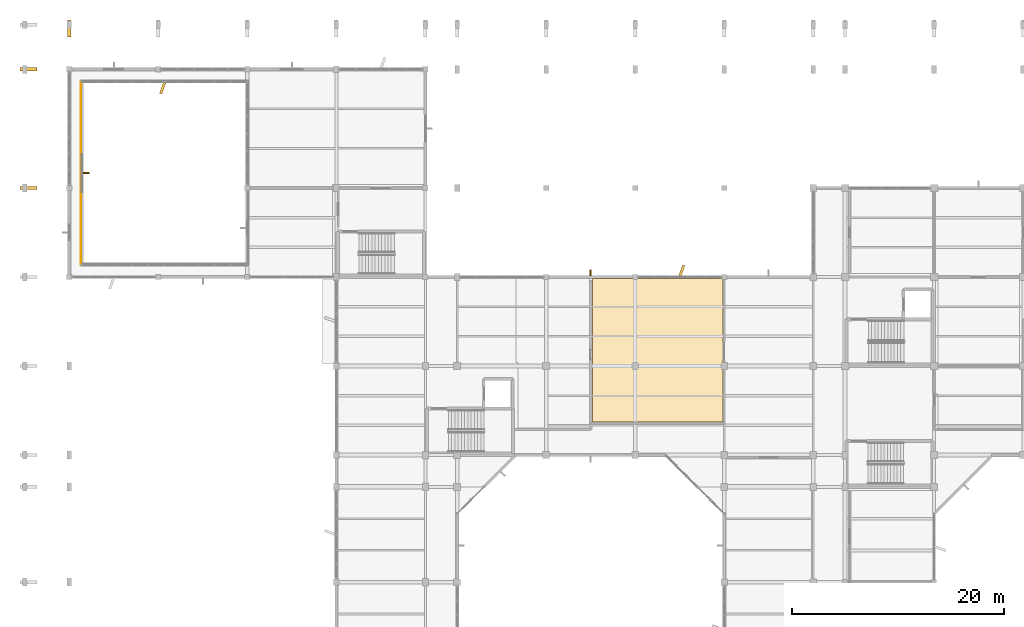
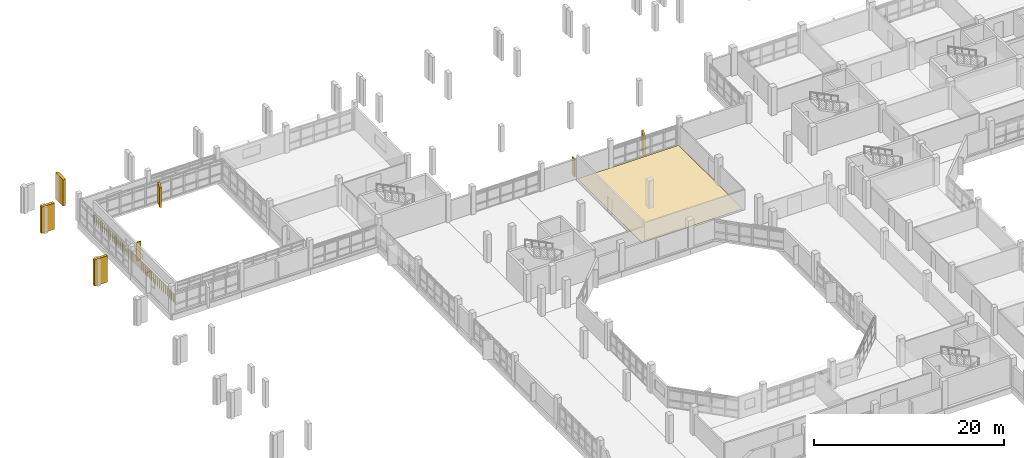
# One storey, part 94 of 104: 6 coverings, 2 shading devices, 1 railing.
"""IFC4 building model written with IfcOpenShell, lengths in metres."""

from ifc_helpers import new_model, si_unit, direction, frame, origin, origin_2d, place, context, subcontext, project, spatial, polyline, rectangle, circle, outline, extrude, material, layer, layer_set, type_object, element, save


model = new_model("IFC4")

# Units and contexts
model_context = context("Model", 3, precision=1e-05, world=origin(), true_north=direction((0.0, 1.0)))
body_context = subcontext(model_context, "Body", "Model", "MODEL_VIEW")
ifc_project = project(units=[si_unit("LENGTHUNIT", "METRE"), si_unit("AREAUNIT", "SQUARE_METRE"), si_unit("VOLUMEUNIT", "CUBIC_METRE"), si_unit("PLANEANGLEUNIT", "RADIAN"), si_unit("MASSUNIT", "GRAM", prefix="KILO")], contexts=[model_context])

# Site, building, storey
site_placement = place(None, origin())
site = spatial("IfcSite", under=ifc_project, at=site_placement, CompositionType="ELEMENT")
building_placement = place(site_placement, origin())
building = spatial("IfcBuilding", under=site, at=building_placement, Name="Vanh Quang Courtyard School", CompositionType="ELEMENT")
storey_placement = place(building_placement, frame((0.0, 0.0, 4.199951171875)))
storey = spatial("IfcBuildingStorey", under=building, at=storey_placement, Name="L01", CompositionType="ELEMENT", Elevation=4.199951171875)

# Coverings
ifc_material_1 = material(Name="Polished cementitious terrazzo tile", Category="concrete")
ifc_layer_1 = layer(ifc_material_1, 0.02001953125)
ifc_layer_set_1 = layer_set([ifc_layer_1], Name="Polished cementitious terrazzo tile")
covering_type_1 = type_object("IfcCoveringType", Name="COV-FLR-TERRAZZO", PredefinedType="FLOORING", material=ifc_layer_set_1)
covering_placement = place(storey_placement, origin())
element("IfcCovering", 1, at=covering_placement, inside=storey, type_object=covering_type_1, Name="Covering CV-FL1 (L01)", PredefinedType="FLOORING", context=body_context, shape_type="SweptSolid", body=[
    extrude(outline(polyline([(53.550048828125, 88.06005859375), (53.550048828125, 88.06103515625), (53.55029296875, 88.06201171875), (53.55029296875, 88.06298828125), (53.55078125, 88.063720703125), (53.55126953125, 88.064697265625), (53.5517578125, 88.065673828125), (53.55224609375, 88.06640625), (53.552978515625, 88.067138671875), (53.5537109375, 88.067626953125), (53.554443359375, 88.068359375), (53.555419921875, 88.06884765625), (53.55615234375, 88.069091796875), (53.55712890625, 88.069580078125), (53.55810546875, 88.06982421875), (53.55908203125, 88.070068359375), (53.56005859375, 88.070068359375), (65.860107421875, 88.070068359375), (65.861083984375, 88.070068359375), (65.862060546875, 88.06982421875), (65.86279296875, 88.069580078125), (65.86376953125, 88.069091796875), (65.86474609375, 88.06884765625), (65.865478515625, 88.068359375), (65.8662109375, 88.067626953125), (65.8671875, 88.067138671875), (65.86767578125, 88.06640625), (65.868408203125, 88.065673828125), (65.868896484375, 88.064697265625), (65.869140625, 88.063720703125), (65.86962890625, 88.06298828125), (65.869873046875, 88.06201171875), (65.8701171875, 88.06103515625), (65.8701171875, 88.06005859375), (65.8701171875, 74.5400390625), (65.8701171875, 74.5390625), (65.869873046875, 74.5380859375), (65.86962890625, 74.537109375), (65.869140625, 74.5361328125), (65.868896484375, 74.535400390625), (65.868408203125, 74.534423828125), (65.86767578125, 74.53369140625), (65.8671875, 74.532958984375), (65.8662109375, 74.5322265625), (65.865478515625, 74.53173828125), (65.86474609375, 74.53125), (65.86376953125, 74.53076171875), (65.86279296875, 74.530517578125), (65.862060546875, 74.5302734375), (65.861083984375, 74.530029296875), (65.860107421875, 74.530029296875), (53.56005859375, 74.530029296875), (53.55908203125, 74.530029296875), (53.55810546875, 74.5302734375), (53.55712890625, 74.530517578125), (53.55615234375, 74.53076171875), (53.555419921875, 74.53125), (53.554443359375, 74.53173828125), (53.5537109375, 74.5322265625), (53.552978515625, 74.532958984375), (53.55224609375, 74.53369140625), (53.5517578125, 74.534423828125), (53.55126953125, 74.535400390625), (53.55078125, 74.5361328125), (53.55029296875, 74.537109375), (53.55029296875, 74.5380859375), (53.550048828125, 74.5390625), (53.550048828125, 74.5400390625), (53.550048828125, 88.06005859375)])), origin(), (0.0, 0.0, 1.0), 0.02001953125),
])
ifc_material_2 = material(Name="Board-marked precast concrete C40/50", Category="concrete")
ifc_layer_2 = layer(ifc_material_2, 0.239990234375)
ifc_layer_set_2 = layer_set([ifc_layer_2], Name="Board-marked precast concrete C40/50")
covering_type_2 = type_object("IfcCoveringType", Name="COV-HOOD-CONC", PredefinedType="CLADDING", material=ifc_layer_set_2)
for number, where, z_axis, x_axis, name in (
    (2, (61.989990234375, 88.784912109375, 0.0), (0.0, 0.0, 1.0), (0.340379550213, 0.94028812701, 0.0), "Covering CH-01 (L01)"),
    (3, (13.010009765625, 106.014892578125, 0.0), (0.0, 0.0, 1.0), (-0.340379550213, -0.94028812701, 0.0), "Covering CH-01 (L01)"),
):
    element("IfcCovering", number, at=place(storey_placement, frame(where, z_axis=z_axis, x_axis=x_axis)), inside=storey, type_object=covering_type_2, Name=name, PredefinedType="CLADDING", context=body_context, shape_type="SweptSolid", body=[
        extrude(rectangle(XDim=1.11669921875, YDim=0.239990234375, at=origin_2d()), origin(), (0.0, 0.0, 1.0), 2.56005859375),
    ])
for number, where, z_axis, x_axis, name in (
    (4, (0.35009765625, 96.60009765625, 0.0), (0.0, 0.0, 1.0), (1.0, 0.0, 0.0), "Covering CH-01 (L01)"),
    (5, (0.35009765625, 107.800048828125, 0.0), (0.0, 0.0, 1.0), (1.0, 0.0, 0.0), "Covering CH-01 (L01)"),
    (6, (4.199951171875, 111.64990234375, 0.0), (0.0, 0.0, 1.0), (0.0, 1.0, 0.0), "Covering CH-01 (L01)"),
):
    element("IfcCovering", number, at=place(storey_placement, frame(where, z_axis=z_axis, x_axis=x_axis)), inside=storey, type_object=covering_type_2, Name=name, PredefinedType="CLADDING", context=body_context, shape_type="SweptSolid", body=[
        extrude(rectangle(XDim=1.60009765625, YDim=0.320068359375, at=origin_2d()), origin(), (0.0, 0.0, 1.0), 3.3798828125),
    ])

# Railing
ifc_material_3 = material(Name="Galvanised painted steel EN 10025-2 S355J2", Category="steel")
railing_type = type_object("IfcRailingType", Name="RAIL-GUARD-1150", PredefinedType="BALUSTRADE", material=ifc_material_3)
railing_placement = place(storey_placement, frame((5.300048828125, 106.60009765625, 0.0)))
element("IfcRailing", 7, at=railing_placement, inside=storey, type_object=railing_type, Name="Railing GR-01 (L01)", PredefinedType="BALUSTRADE", context=body_context, shape_type="SweptSolid", body=[
    extrude(circle(Radius=0.02392578125, at=origin_2d()), frame((0.0, 0.0, 1.1259765625), z_axis=(0.0, -1.0, 0.0), x_axis=(1.0, 0.0, 0.0)), (0.0, 0.0, 1.0), 17.2001953125),
    extrude(circle(Radius=0.02099609375, at=origin_2d()), origin(), (0.0, 0.0, 1.0), 1.101806640625),
    extrude(circle(Radius=0.02099609375, at=origin_2d()), frame((0.0, -0.139892578125, 0.0)), (0.0, 0.0, 1.0), 1.101806640625),
    extrude(circle(Radius=0.02099609375, at=origin_2d()), frame((0.0, -0.27978515625, 0.0)), (0.0, 0.0, 1.0), 1.101806640625),
    extrude(circle(Radius=0.02099609375, at=origin_2d()), frame((0.0, -0.41943359375, 0.0)), (0.0, 0.0, 1.0), 1.101806640625),
    extrude(circle(Radius=0.02099609375, at=origin_2d()), frame((0.0, -0.559326171875, 0.0)), (0.0, 0.0, 1.0), 1.101806640625),
    extrude(circle(Radius=0.02099609375, at=origin_2d()), frame((0.0, -0.69921875, 0.0)), (0.0, 0.0, 1.0), 1.101806640625),
    extrude(circle(Radius=0.02099609375, at=origin_2d()), frame((0.0, -0.839111328125, 0.0)), (0.0, 0.0, 1.0), 1.101806640625),
    extrude(circle(Radius=0.02099609375, at=origin_2d()), frame((0.0, -0.978759765625, 0.0)), (0.0, 0.0, 1.0), 1.101806640625),
    extrude(circle(Radius=0.02099609375, at=origin_2d()), frame((0.0, -1.11865234375, 0.0)), (0.0, 0.0, 1.0), 1.101806640625),
    extrude(circle(Radius=0.02099609375, at=origin_2d()), frame((0.0, -1.258544921875, 0.0)), (0.0, 0.0, 1.0), 1.101806640625),
    extrude(circle(Radius=0.02099609375, at=origin_2d()), frame((0.0, -1.3984375, 0.0)), (0.0, 0.0, 1.0), 1.101806640625),
    extrude(circle(Radius=0.02099609375, at=origin_2d()), frame((0.0, -1.538330078125, 0.0)), (0.0, 0.0, 1.0), 1.101806640625),
    extrude(circle(Radius=0.02099609375, at=origin_2d()), frame((0.0, -1.677978515625, 0.0)), (0.0, 0.0, 1.0), 1.101806640625),
    extrude(circle(Radius=0.02099609375, at=origin_2d()), frame((0.0, -1.81787109375, 0.0)), (0.0, 0.0, 1.0), 1.101806640625),
    extrude(circle(Radius=0.02099609375, at=origin_2d()), frame((0.0, -1.957763671875, 0.0)), (0.0, 0.0, 1.0), 1.101806640625),
    extrude(circle(Radius=0.02099609375, at=origin_2d()), frame((0.0, -2.09765625, 0.0)), (0.0, 0.0, 1.0), 1.101806640625),
    extrude(circle(Radius=0.02099609375, at=origin_2d()), frame((0.0, -2.2373046875, 0.0)), (0.0, 0.0, 1.0), 1.101806640625),
    extrude(circle(Radius=0.02099609375, at=origin_2d()), frame((0.0, -2.377197265625, 0.0)), (0.0, 0.0, 1.0), 1.101806640625),
    extrude(circle(Radius=0.02099609375, at=origin_2d()), frame((0.0, -2.51708984375, 0.0)), (0.0, 0.0, 1.0), 1.101806640625),
    extrude(circle(Radius=0.02099609375, at=origin_2d()), frame((0.0, -2.656982421875, 0.0)), (0.0, 0.0, 1.0), 1.101806640625),
    extrude(circle(Radius=0.02099609375, at=origin_2d()), frame((0.0, -2.796875, 0.0)), (0.0, 0.0, 1.0), 1.101806640625),
    extrude(circle(Radius=0.02099609375, at=origin_2d()), frame((0.0, -2.9365234375, 0.0)), (0.0, 0.0, 1.0), 1.101806640625),
    extrude(circle(Radius=0.02099609375, at=origin_2d()), frame((0.0, -3.076416015625, 0.0)), (0.0, 0.0, 1.0), 1.101806640625),
    extrude(circle(Radius=0.02099609375, at=origin_2d()), frame((0.0, -3.21630859375, 0.0)), (0.0, 0.0, 1.0), 1.101806640625),
    extrude(circle(Radius=0.02099609375, at=origin_2d()), frame((0.0, -3.356201171875, 0.0)), (0.0, 0.0, 1.0), 1.101806640625),
    extrude(circle(Radius=0.02099609375, at=origin_2d()), frame((0.0, -3.49609375, 0.0)), (0.0, 0.0, 1.0), 1.101806640625),
    extrude(circle(Radius=0.02099609375, at=origin_2d()), frame((0.0, -3.6357421875, 0.0)), (0.0, 0.0, 1.0), 1.101806640625),
    extrude(circle(Radius=0.02099609375, at=origin_2d()), frame((0.0, -3.775634765625, 0.0)), (0.0, 0.0, 1.0), 1.101806640625),
    extrude(circle(Radius=0.02099609375, at=origin_2d()), frame((0.0, -3.91552734375, 0.0)), (0.0, 0.0, 1.0), 1.101806640625),
    extrude(circle(Radius=0.02099609375, at=origin_2d()), frame((0.0, -4.055419921875, 0.0)), (0.0, 0.0, 1.0), 1.101806640625),
    extrude(circle(Radius=0.02099609375, at=origin_2d()), frame((0.0, -4.195068359375, 0.0)), (0.0, 0.0, 1.0), 1.101806640625),
    extrude(circle(Radius=0.02099609375, at=origin_2d()), frame((0.0, -4.3349609375, 0.0)), (0.0, 0.0, 1.0), 1.101806640625),
    extrude(circle(Radius=0.02099609375, at=origin_2d()), frame((0.0, -4.474853515625, 0.0)), (0.0, 0.0, 1.0), 1.101806640625),
    extrude(circle(Radius=0.02099609375, at=origin_2d()), frame((0.0, -4.61474609375, 0.0)), (0.0, 0.0, 1.0), 1.101806640625),
    extrude(circle(Radius=0.02099609375, at=origin_2d()), frame((0.0, -4.754638671875, 0.0)), (0.0, 0.0, 1.0), 1.101806640625),
    extrude(circle(Radius=0.02099609375, at=origin_2d()), frame((0.0, -4.894287109375, 0.0)), (0.0, 0.0, 1.0), 1.101806640625),
    extrude(circle(Radius=0.02099609375, at=origin_2d()), frame((0.0, -5.0341796875, 0.0)), (0.0, 0.0, 1.0), 1.101806640625),
    extrude(circle(Radius=0.02099609375, at=origin_2d()), frame((0.0, -5.174072265625, 0.0)), (0.0, 0.0, 1.0), 1.101806640625),
    extrude(circle(Radius=0.02099609375, at=origin_2d()), frame((0.0, -5.31396484375, 0.0)), (0.0, 0.0, 1.0), 1.101806640625),
    extrude(circle(Radius=0.02099609375, at=origin_2d()), frame((0.0, -5.45361328125, 0.0)), (0.0, 0.0, 1.0), 1.101806640625),
    extrude(circle(Radius=0.02099609375, at=origin_2d()), frame((0.0, -5.593505859375, 0.0)), (0.0, 0.0, 1.0), 1.101806640625),
    extrude(circle(Radius=0.02099609375, at=origin_2d()), frame((0.0, -5.7333984375, 0.0)), (0.0, 0.0, 1.0), 1.101806640625),
    extrude(circle(Radius=0.02099609375, at=origin_2d()), frame((0.0, -5.873291015625, 0.0)), (0.0, 0.0, 1.0), 1.101806640625),
    extrude(circle(Radius=0.02099609375, at=origin_2d()), frame((0.0, -6.01318359375, 0.0)), (0.0, 0.0, 1.0), 1.101806640625),
    extrude(circle(Radius=0.02099609375, at=origin_2d()), frame((0.0, -6.15283203125, 0.0)), (0.0, 0.0, 1.0), 1.101806640625),
    extrude(circle(Radius=0.02099609375, at=origin_2d()), frame((0.0, -6.292724609375, 0.0)), (0.0, 0.0, 1.0), 1.101806640625),
    extrude(circle(Radius=0.02099609375, at=origin_2d()), frame((0.0, -6.4326171875, 0.0)), (0.0, 0.0, 1.0), 1.101806640625),
    extrude(circle(Radius=0.02099609375, at=origin_2d()), frame((0.0, -6.572509765625, 0.0)), (0.0, 0.0, 1.0), 1.101806640625),
    extrude(circle(Radius=0.02099609375, at=origin_2d()), frame((0.0, -6.712158203125, 0.0)), (0.0, 0.0, 1.0), 1.101806640625),
    extrude(circle(Radius=0.02099609375, at=origin_2d()), frame((0.0, -6.85205078125, 0.0)), (0.0, 0.0, 1.0), 1.101806640625),
    extrude(circle(Radius=0.02099609375, at=origin_2d()), frame((0.0, -6.991943359375, 0.0)), (0.0, 0.0, 1.0), 1.101806640625),
    extrude(circle(Radius=0.02099609375, at=origin_2d()), frame((0.0, -7.1318359375, 0.0)), (0.0, 0.0, 1.0), 1.101806640625),
    extrude(circle(Radius=0.02099609375, at=origin_2d()), frame((0.0, -7.271728515625, 0.0)), (0.0, 0.0, 1.0), 1.101806640625),
    extrude(circle(Radius=0.02099609375, at=origin_2d()), frame((0.0, -7.411376953125, 0.0)), (0.0, 0.0, 1.0), 1.101806640625),
    extrude(circle(Radius=0.02099609375, at=origin_2d()), frame((0.0, -7.55126953125, 0.0)), (0.0, 0.0, 1.0), 1.101806640625),
    extrude(circle(Radius=0.02099609375, at=origin_2d()), frame((0.0, -7.691162109375, 0.0)), (0.0, 0.0, 1.0), 1.101806640625),
    extrude(circle(Radius=0.02099609375, at=origin_2d()), frame((0.0, -7.8310546875, 0.0)), (0.0, 0.0, 1.0), 1.101806640625),
    extrude(circle(Radius=0.02099609375, at=origin_2d()), frame((0.0, -7.970703125, 0.0)), (0.0, 0.0, 1.0), 1.101806640625),
    extrude(circle(Radius=0.02099609375, at=origin_2d()), frame((0.0, -8.110595703125, 0.0)), (0.0, 0.0, 1.0), 1.101806640625),
    extrude(circle(Radius=0.02099609375, at=origin_2d()), frame((0.0, -8.25048828125, 0.0)), (0.0, 0.0, 1.0), 1.101806640625),
    extrude(circle(Radius=0.02099609375, at=origin_2d()), frame((0.0, -8.390380859375, 0.0)), (0.0, 0.0, 1.0), 1.101806640625),
    extrude(circle(Radius=0.02099609375, at=origin_2d()), frame((0.0, -8.5302734375, 0.0)), (0.0, 0.0, 1.0), 1.101806640625),
    extrude(circle(Radius=0.02099609375, at=origin_2d()), frame((0.0, -8.669921875, 0.0)), (0.0, 0.0, 1.0), 1.101806640625),
    extrude(circle(Radius=0.02099609375, at=origin_2d()), frame((0.0, -8.809814453125, 0.0)), (0.0, 0.0, 1.0), 1.101806640625),
    extrude(circle(Radius=0.02099609375, at=origin_2d()), frame((0.0, -8.94970703125, 0.0)), (0.0, 0.0, 1.0), 1.101806640625),
    extrude(circle(Radius=0.02099609375, at=origin_2d()), frame((0.0, -9.089599609375, 0.0)), (0.0, 0.0, 1.0), 1.101806640625),
    extrude(circle(Radius=0.02099609375, at=origin_2d()), frame((0.0, -9.2294921875, 0.0)), (0.0, 0.0, 1.0), 1.101806640625),
    extrude(circle(Radius=0.02099609375, at=origin_2d()), frame((0.0, -9.369140625, 0.0)), (0.0, 0.0, 1.0), 1.101806640625),
    extrude(circle(Radius=0.02099609375, at=origin_2d()), frame((0.0, -9.509033203125, 0.0)), (0.0, 0.0, 1.0), 1.101806640625),
    extrude(circle(Radius=0.02099609375, at=origin_2d()), frame((0.0, -9.64892578125, 0.0)), (0.0, 0.0, 1.0), 1.101806640625),
    extrude(circle(Radius=0.02099609375, at=origin_2d()), frame((0.0, -9.788818359375, 0.0)), (0.0, 0.0, 1.0), 1.101806640625),
    extrude(circle(Radius=0.02099609375, at=origin_2d()), frame((0.0, -9.928466796875, 0.0)), (0.0, 0.0, 1.0), 1.101806640625),
    extrude(circle(Radius=0.02099609375, at=origin_2d()), frame((0.0, -10.068359375, 0.0)), (0.0, 0.0, 1.0), 1.101806640625),
    extrude(circle(Radius=0.02099609375, at=origin_2d()), frame((0.0, -10.208251953125, 0.0)), (0.0, 0.0, 1.0), 1.101806640625),
    extrude(circle(Radius=0.02099609375, at=origin_2d()), frame((0.0, -10.34814453125, 0.0)), (0.0, 0.0, 1.0), 1.101806640625),
    extrude(circle(Radius=0.02099609375, at=origin_2d()), frame((0.0, -10.488037109375, 0.0)), (0.0, 0.0, 1.0), 1.101806640625),
    extrude(circle(Radius=0.02099609375, at=origin_2d()), frame((0.0, -10.627685546875, 0.0)), (0.0, 0.0, 1.0), 1.101806640625),
    extrude(circle(Radius=0.02099609375, at=origin_2d()), frame((0.0, -10.767578125, 0.0)), (0.0, 0.0, 1.0), 1.101806640625),
    extrude(circle(Radius=0.02099609375, at=origin_2d()), frame((0.0, -10.907470703125, 0.0)), (0.0, 0.0, 1.0), 1.101806640625),
    extrude(circle(Radius=0.02099609375, at=origin_2d()), frame((0.0, -11.04736328125, 0.0)), (0.0, 0.0, 1.0), 1.101806640625),
    extrude(circle(Radius=0.02099609375, at=origin_2d()), frame((0.0, -11.18701171875, 0.0)), (0.0, 0.0, 1.0), 1.101806640625),
    extrude(circle(Radius=0.02099609375, at=origin_2d()), frame((0.0, -11.326904296875, 0.0)), (0.0, 0.0, 1.0), 1.101806640625),
    extrude(circle(Radius=0.02099609375, at=origin_2d()), frame((0.0, -11.466796875, 0.0)), (0.0, 0.0, 1.0), 1.101806640625),
    extrude(circle(Radius=0.02099609375, at=origin_2d()), frame((0.0, -11.606689453125, 0.0)), (0.0, 0.0, 1.0), 1.101806640625),
    extrude(circle(Radius=0.02099609375, at=origin_2d()), frame((0.0, -11.74658203125, 0.0)), (0.0, 0.0, 1.0), 1.101806640625),
    extrude(circle(Radius=0.02099609375, at=origin_2d()), frame((0.0, -11.88623046875, 0.0)), (0.0, 0.0, 1.0), 1.101806640625),
    extrude(circle(Radius=0.02099609375, at=origin_2d()), frame((0.0, -12.026123046875, 0.0)), (0.0, 0.0, 1.0), 1.101806640625),
    extrude(circle(Radius=0.02099609375, at=origin_2d()), frame((0.0, -12.166015625, 0.0)), (0.0, 0.0, 1.0), 1.101806640625),
    extrude(circle(Radius=0.02099609375, at=origin_2d()), frame((0.0, -12.305908203125, 0.0)), (0.0, 0.0, 1.0), 1.101806640625),
    extrude(circle(Radius=0.02099609375, at=origin_2d()), frame((0.0, -12.445556640625, 0.0)), (0.0, 0.0, 1.0), 1.101806640625),
    extrude(circle(Radius=0.02099609375, at=origin_2d()), frame((0.0, -12.58544921875, 0.0)), (0.0, 0.0, 1.0), 1.101806640625),
    extrude(circle(Radius=0.02099609375, at=origin_2d()), frame((0.0, -12.725341796875, 0.0)), (0.0, 0.0, 1.0), 1.101806640625),
    extrude(circle(Radius=0.02099609375, at=origin_2d()), frame((0.0, -12.865234375, 0.0)), (0.0, 0.0, 1.0), 1.101806640625),
    extrude(circle(Radius=0.02099609375, at=origin_2d()), frame((0.0, -13.005126953125, 0.0)), (0.0, 0.0, 1.0), 1.101806640625),
    extrude(circle(Radius=0.02099609375, at=origin_2d()), frame((0.0, -13.144775390625, 0.0)), (0.0, 0.0, 1.0), 1.101806640625),
    extrude(circle(Radius=0.02099609375, at=origin_2d()), frame((0.0, -13.28466796875, 0.0)), (0.0, 0.0, 1.0), 1.101806640625),
    extrude(circle(Radius=0.02099609375, at=origin_2d()), frame((0.0, -13.424560546875, 0.0)), (0.0, 0.0, 1.0), 1.101806640625),
    extrude(circle(Radius=0.02099609375, at=origin_2d()), frame((0.0, -13.564453125, 0.0)), (0.0, 0.0, 1.0), 1.101806640625),
    extrude(circle(Radius=0.02099609375, at=origin_2d()), frame((0.0, -13.7041015625, 0.0)), (0.0, 0.0, 1.0), 1.101806640625),
    extrude(circle(Radius=0.02099609375, at=origin_2d()), frame((0.0, -13.843994140625, 0.0)), (0.0, 0.0, 1.0), 1.101806640625),
    extrude(circle(Radius=0.02099609375, at=origin_2d()), frame((0.0, -13.98388671875, 0.0)), (0.0, 0.0, 1.0), 1.101806640625),
    extrude(circle(Radius=0.02099609375, at=origin_2d()), frame((0.0, -14.123779296875, 0.0)), (0.0, 0.0, 1.0), 1.101806640625),
    extrude(circle(Radius=0.02099609375, at=origin_2d()), frame((0.0, -14.263671875, 0.0)), (0.0, 0.0, 1.0), 1.101806640625),
    extrude(circle(Radius=0.02099609375, at=origin_2d()), frame((0.0, -14.4033203125, 0.0)), (0.0, 0.0, 1.0), 1.101806640625),
    extrude(circle(Radius=0.02099609375, at=origin_2d()), frame((0.0, -14.543212890625, 0.0)), (0.0, 0.0, 1.0), 1.101806640625),
    extrude(circle(Radius=0.02099609375, at=origin_2d()), frame((0.0, -14.68310546875, 0.0)), (0.0, 0.0, 1.0), 1.101806640625),
    extrude(circle(Radius=0.02099609375, at=origin_2d()), frame((0.0, -14.822998046875, 0.0)), (0.0, 0.0, 1.0), 1.101806640625),
    extrude(circle(Radius=0.02099609375, at=origin_2d()), frame((0.0, -14.962890625, 0.0)), (0.0, 0.0, 1.0), 1.101806640625),
    extrude(circle(Radius=0.02099609375, at=origin_2d()), frame((0.0, -15.1025390625, 0.0)), (0.0, 0.0, 1.0), 1.101806640625),
    extrude(circle(Radius=0.02099609375, at=origin_2d()), frame((0.0, -15.242431640625, 0.0)), (0.0, 0.0, 1.0), 1.101806640625),
    extrude(circle(Radius=0.02099609375, at=origin_2d()), frame((0.0, -15.38232421875, 0.0)), (0.0, 0.0, 1.0), 1.101806640625),
    extrude(circle(Radius=0.02099609375, at=origin_2d()), frame((0.0, -15.522216796875, 0.0)), (0.0, 0.0, 1.0), 1.101806640625),
    extrude(circle(Radius=0.02099609375, at=origin_2d()), frame((0.0, -15.661865234375, 0.0)), (0.0, 0.0, 1.0), 1.101806640625),
    extrude(circle(Radius=0.02099609375, at=origin_2d()), frame((0.0, -15.8017578125, 0.0)), (0.0, 0.0, 1.0), 1.101806640625),
    extrude(circle(Radius=0.02099609375, at=origin_2d()), frame((0.0, -15.941650390625, 0.0)), (0.0, 0.0, 1.0), 1.101806640625),
    extrude(circle(Radius=0.02099609375, at=origin_2d()), frame((0.0, -16.08154296875, 0.0)), (0.0, 0.0, 1.0), 1.101806640625),
    extrude(circle(Radius=0.02099609375, at=origin_2d()), frame((0.0, -16.221435546875, 0.0)), (0.0, 0.0, 1.0), 1.101806640625),
    extrude(circle(Radius=0.02099609375, at=origin_2d()), frame((0.0, -16.361083984375, 0.0)), (0.0, 0.0, 1.0), 1.101806640625),
    extrude(circle(Radius=0.02099609375, at=origin_2d()), frame((0.0, -16.5009765625, 0.0)), (0.0, 0.0, 1.0), 1.101806640625),
    extrude(circle(Radius=0.02099609375, at=origin_2d()), frame((0.0, -16.640869140625, 0.0)), (0.0, 0.0, 1.0), 1.101806640625),
    extrude(circle(Radius=0.02099609375, at=origin_2d()), frame((0.0, -16.78076171875, 0.0)), (0.0, 0.0, 1.0), 1.101806640625),
    extrude(circle(Radius=0.02099609375, at=origin_2d()), frame((0.0, -16.92041015625, 0.0)), (0.0, 0.0, 1.0), 1.101806640625),
    extrude(circle(Radius=0.02099609375, at=origin_2d()), frame((0.0, -17.060302734375, 0.0)), (0.0, 0.0, 1.0), 1.101806640625),
    extrude(circle(Radius=0.02099609375, at=origin_2d()), frame((0.0, -17.2001953125, 0.0)), (0.0, 0.0, 1.0), 1.101806640625),
])

# Shading devices
shading_device_type = type_object("IfcShadingDeviceType", Name="SHD-FIN-CONCRETE", PredefinedType="USERDEFINED", material=ifc_material_2)
shading_device_1_placement = place(storey_placement, frame((53.39990234375, 88.594970703125, 0.14990234375), z_axis=(0.0, 0.0, 1.0), x_axis=(1.0, 0.0, 0.0)))
element("IfcShadingDevice", 8, at=shading_device_1_placement, inside=storey, type_object=shading_device_type, Name="Solar Shading SH-02 (L01)", ObjectType="Solar Shading SH-02 (L01)", PredefinedType="USERDEFINED", context=body_context, shape_type="SweptSolid", body=[
    extrude(rectangle(XDim=0.139892578125, YDim=0.550048828125, at=origin_2d()), origin(), (0.0, 0.0, 1.0), 2.300048828125),
])
shading_device_2_placement = place(storey_placement, frame((5.794921875, 98.0, 0.14990234375), z_axis=(0.0, 0.0, 1.0), x_axis=(0.0, -1.0, 0.0)))
element("IfcShadingDevice", 9, at=shading_device_2_placement, inside=storey, type_object=shading_device_type, Name="Solar Shading SH-02 (L01)", ObjectType="Solar Shading SH-02 (L01)", PredefinedType="USERDEFINED", context=body_context, shape_type="SweptSolid", body=[
    extrude(rectangle(XDim=0.139892578125, YDim=0.550048828125, at=origin_2d()), origin(), (0.0, 0.0, 1.0), 2.469970703125),
])

save(model, "model.ifc")
